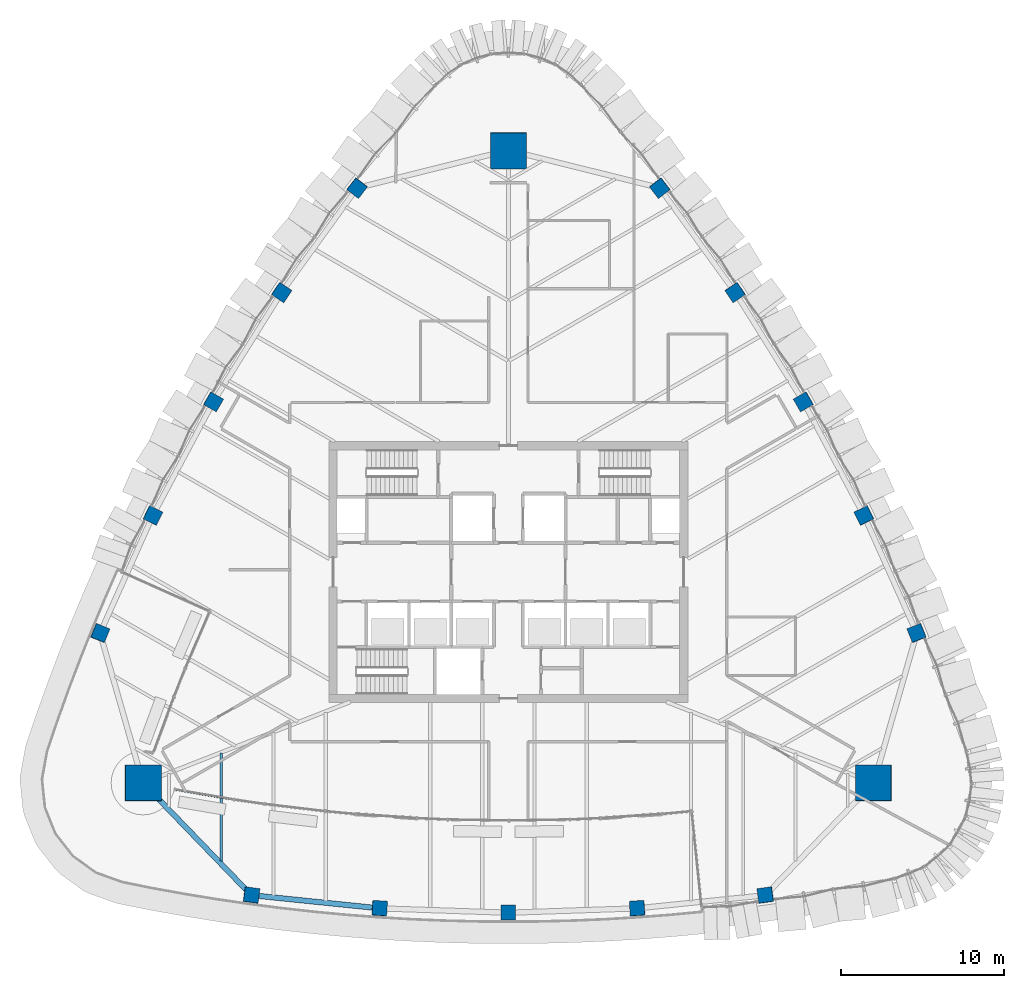
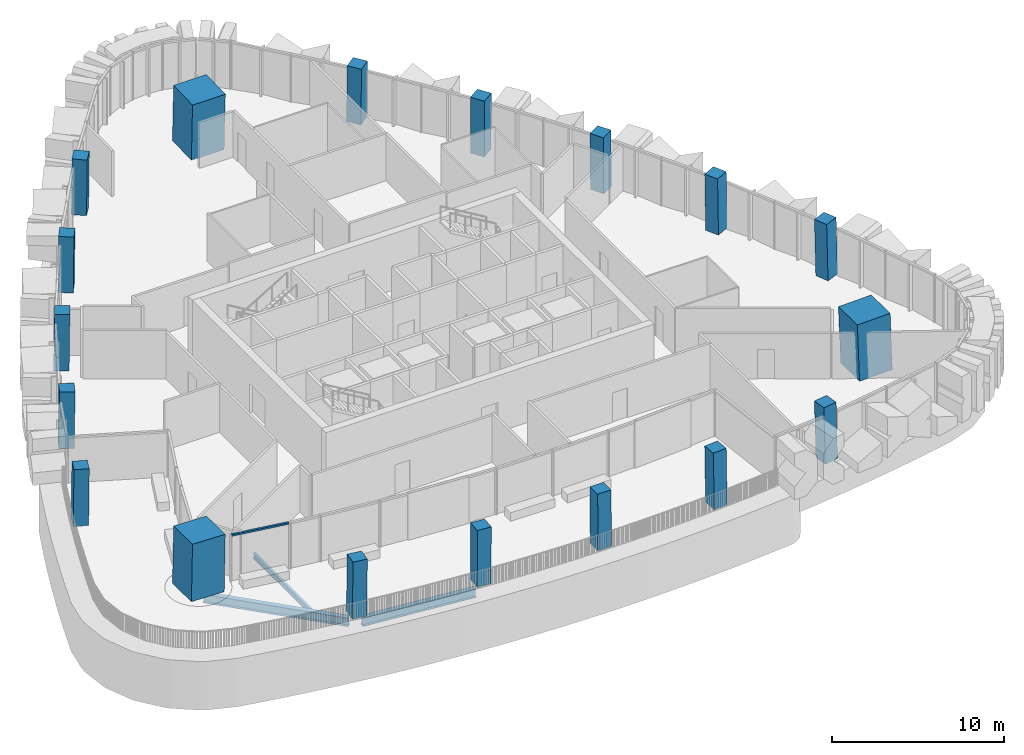
# One storey, part 1 of 22: 18 columns, 3 beams, 1 member, 1 element without a shape of its own.
"""IFC4 building model written with IfcOpenShell, lengths in metres."""

from ifc_helpers import new_model, si_unit, direction, frame, origin, origin_2d, place, context, subcontext, project, spatial, rectangle, i_section, extrude, clip, halfspace, material, layer, layer_set, material_profile, profile_set, type_object, element, aggregate, save


model = new_model("IFC4")

# Units and contexts
model_context = context("Model", 3, precision=1e-05, world=origin(), true_north=direction((0.0, 1.0)))
body_context = subcontext(model_context, "Body", "Model", "MODEL_VIEW")
ifc_project = project(units=[si_unit("LENGTHUNIT", "METRE"), si_unit("AREAUNIT", "SQUARE_METRE"), si_unit("VOLUMEUNIT", "CUBIC_METRE"), si_unit("PLANEANGLEUNIT", "RADIAN"), si_unit("MASSUNIT", "GRAM", prefix="KILO")], contexts=[model_context])

# Site, building, storey
site_placement = place(None, origin())
site = spatial("IfcSite", under=ifc_project, at=site_placement, CompositionType="ELEMENT")
building_placement = place(site_placement, origin())
building = spatial("IfcBuilding", under=site, at=building_placement, Name="Sierra Prisma Convention Tower", CompositionType="ELEMENT")
storey_placement = place(building_placement, frame((0.0, 0.0, 227.0)))
storey = spatial("IfcBuildingStorey", under=building, at=storey_placement, Name="L50", CompositionType="ELEMENT", Elevation=227.0)

# Columns
ifc_material_1 = material(Name="Concrete C50/60", Category="concrete")
ifc_material_profile_1 = material_profile(ifc_material_1, rectangle(XDim=2.199951171875, YDim=2.199951171875, at=origin_2d()), Name="Mega column RC 2200 C50/60")
ifc_profile_set_1 = profile_set([ifc_material_profile_1], Name="Concrete C50/60")
column_type_1 = type_object("IfcColumnType", Name="Mega column RC 2200 C50/60", PredefinedType="COLUMN", material=ifc_profile_set_1)
column_1_placement = place(storey_placement, frame((22.404052734375, -12.93505859375, 0.0), z_axis=(-0.027878605886, 0.016104927689, 0.999481572936), x_axis=(0.999611316129, 0.000449157512, 0.02787498742)))
element("IfcColumn", 1, at=column_1_placement, inside=storey, type_object=column_type_1, Name="Mega column SE L50", PredefinedType="COLUMN", context=body_context, shape_type="SweptSolid", body=[
    clip(extrude(rectangle(XDim=2.199951171875, YDim=2.199951171875, at=origin_2d()), origin(), (0.0, 0.0, 1.0), 4.001953125), halfspace(frame((0.0, 0.0, 0.010986328125)), True)),
])
column_2_placement = place(storey_placement, frame((0.0, 25.8701171875, 0.0), z_axis=(0.0, -0.032209841054, 0.999481128456), x_axis=(1.0, 0.0, 0.0)))
element("IfcColumn", 2, at=column_2_placement, inside=storey, type_object=column_type_1, Name="Mega column N L50", PredefinedType="COLUMN", context=body_context, shape_type="SweptSolid", body=[
    clip(extrude(rectangle(XDim=2.199951171875, YDim=2.199951171875, at=origin_2d()), origin(), (0.0, 0.0, 1.0), 4.002197265625), halfspace(frame((0.0, 0.0, 0.00830078125)), True)),
])
column_3_placement = place(storey_placement, frame((-22.404052734375, -12.93505859375, 0.0), z_axis=(0.027878605886, 0.016104927689, 0.999481572936), x_axis=(0.999611316129, -0.000449157512, -0.02787498742)))
element("IfcColumn", 3, at=column_3_placement, inside=storey, type_object=column_type_1, Name="Mega column SW L50", PredefinedType="COLUMN", context=body_context, shape_type="SweptSolid", body=[
    clip(extrude(rectangle(XDim=2.199951171875, YDim=2.199951171875, at=origin_2d()), origin(), (0.0, 0.0, 1.0), 4.001953125), halfspace(frame((0.0, 0.0, 0.010986328125)), True)),
])
ifc_material_2 = material(Name="Concrete C50/60", Category="concrete")
ifc_material_profile_2 = material_profile(ifc_material_2, rectangle(XDim=0.89990234375, YDim=0.89990234375, at=origin_2d()), Name="Perimeter column RC 900 C50/60")
ifc_profile_set_2 = profile_set([ifc_material_profile_2], Name="Concrete C50/60")
column_type_2 = type_object("IfcColumnType", Name="Perimeter column RC 900 C50/60", PredefinedType="COLUMN", material=ifc_profile_set_2)
column_4_placement = place(storey_placement, frame((-15.76220703125, -19.813720703125, 0.0), z_axis=(0.017574453011, 0.010434831475, 0.999791104628), x_axis=(-0.990587246612, 0.135945228189, 0.015993804505)))
element("IfcColumn", 4, at=column_4_placement, inside=storey, type_object=column_type_2, Name="Perimeter column S-1 L50", PredefinedType="COLUMN", context=body_context, shape_type="SweptSolid", body=[
    clip(extrude(rectangle(XDim=0.89990234375, YDim=0.89990234375, at=origin_2d()), origin(), (0.0, 0.0, 1.0), 4.000732421875), halfspace(frame((0.0, 0.0, 0.003173828125)), True)),
])
column_5_placement = place(storey_placement, frame((-7.8994140625, -20.619384765625, 0.0), z_axis=(0.008788174922, 0.01116830563, 0.999899013366), x_axis=(-0.997643851846, 0.068136832565, 0.00800730434)))
element("IfcColumn", 5, at=column_5_placement, inside=storey, type_object=column_type_2, Name="Perimeter column S-2 L50", PredefinedType="COLUMN", context=body_context, shape_type="SweptSolid", body=[
    clip(extrude(rectangle(XDim=0.89990234375, YDim=0.89990234375, at=origin_2d()), origin(), (0.0, 0.0, 1.0), 4.00048828125), halfspace(frame((0.0, 0.0, 0.002197265625)), True)),
])
column_6_placement = place(storey_placement, frame((0.0, -20.888671875, 0.0), z_axis=(0.0, 0.01141283087, 0.999934871525), x_axis=(1.0, 0.0, 0.0)))
element("IfcColumn", 6, at=column_6_placement, inside=storey, type_object=column_type_2, Name="Perimeter column S-3 L50", PredefinedType="COLUMN", context=body_context, shape_type="SweptSolid", body=[
    clip(extrude(rectangle(XDim=0.89990234375, YDim=0.89990234375, at=origin_2d()), origin(), (0.0, 0.0, 1.0), 4.000244140625), halfspace(frame((0.0, 0.0, 0.00146484375)), True)),
])
column_7_placement = place(storey_placement, frame((7.8994140625, -20.619384765625, 0.0), z_axis=(-0.008788174922, 0.01116830563, 0.999899013366), x_axis=(0.997643851846, 0.068136832565, 0.00800730434)))
element("IfcColumn", 7, at=column_7_placement, inside=storey, type_object=column_type_2, Name="Perimeter column S-4 L50", PredefinedType="COLUMN", context=body_context, shape_type="SweptSolid", body=[
    clip(extrude(rectangle(XDim=0.89990234375, YDim=0.89990234375, at=origin_2d()), origin(), (0.0, 0.0, 1.0), 4.00048828125), halfspace(frame((0.0, 0.0, 0.002197265625)), True)),
])
for number, where, z_axis, x_axis, name in (
    (8, (15.76220703125, -19.813720703125, 0.0), (-0.017574453011, 0.010434831475, 0.999791104628), (0.990587246612, 0.135945228189, 0.015993804505), "Perimeter column S-5 L50"),
    (9, (25.0400390625, -3.74365234375, 0.0), (-0.017757540332, 0.01000768596, 0.999792236409), (-0.377729507005, 0.925778156217, -0.015975763193), "Perimeter column NE-1 L50"),
):
    element("IfcColumn", number, at=place(storey_placement, frame(where, z_axis=z_axis, x_axis=x_axis)), inside=storey, type_object=column_type_2, Name=name, PredefinedType="COLUMN", context=body_context, shape_type="SweptSolid", body=[
        clip(extrude(rectangle(XDim=0.89990234375, YDim=0.89990234375, at=origin_2d()), origin(), (0.0, 0.0, 1.0), 4.000732421875), halfspace(frame((0.0, 0.0, 0.003173828125)), True)),
    ])
column_8_placement = place(storey_placement, frame((21.806640625, 3.46875, 0.0), z_axis=(-0.014036674448, 0.002013957638, 0.999899452818), x_axis=(-0.439870752141, 0.898025601958, -0.007983710807)))
element("IfcColumn", 10, at=column_8_placement, inside=storey, type_object=column_type_2, Name="Perimeter column NE-2 L50", PredefinedType="COLUMN", context=body_context, shape_type="SweptSolid", body=[
    clip(extrude(rectangle(XDim=0.89990234375, YDim=0.89990234375, at=origin_2d()), origin(), (0.0, 0.0, 1.0), 4.00048828125), halfspace(frame((0.0, 0.0, 0.002197265625)), True)),
])
column_9_placement = place(storey_placement, frame((18.090087890625, 10.4443359375, 0.0), z_axis=(-0.009948074445, -0.005736926367, 0.999934059571), x_axis=(-0.499975258342, 0.8660396879, -5.385525e-06)))
element("IfcColumn", 11, at=column_9_placement, inside=storey, type_object=column_type_2, Name="Perimeter column NE-3 L50", PredefinedType="COLUMN", context=body_context, shape_type="SweptSolid", body=[
    clip(extrude(rectangle(XDim=0.89990234375, YDim=0.89990234375, at=origin_2d()), origin(), (0.0, 0.0, 1.0), 4.000244140625), halfspace(frame((0.0, 0.0, 0.00146484375)), True)),
])
column_10_placement = place(storey_placement, frame((13.9072265625, 17.15087890625, 0.0), z_axis=(-0.005248490815, -0.013243284963, 0.999898529226), x_axis=(-0.557760604699, 0.829962689553, 0.008064849343)))
element("IfcColumn", 12, at=column_10_placement, inside=storey, type_object=column_type_2, Name="Perimeter column NE-4 L50", PredefinedType="COLUMN", context=body_context, shape_type="SweptSolid", body=[
    clip(extrude(rectangle(XDim=0.89990234375, YDim=0.89990234375, at=origin_2d()), origin(), (0.0, 0.0, 1.0), 4.00048828125), halfspace(frame((0.0, 0.0, 0.002197265625)), True)),
])
for number, where, z_axis, x_axis, name in (
    (13, (9.278076171875, 23.55712890625, 0.0), (-0.000244089904, -0.020381506962, 0.999792245716), (-0.612951165018, 0.789959701895, 0.015954268541), "Perimeter column NE-5 L50"),
    (14, (-9.278076171875, 23.55712890625, 0.0), (0.000244089904, -0.020381506962, 0.999792245716), (0.612951165018, 0.789959701895, 0.015954268541), "Perimeter column NW-1 L50"),
):
    element("IfcColumn", number, at=place(storey_placement, frame(where, z_axis=z_axis, x_axis=x_axis)), inside=storey, type_object=column_type_2, Name=name, PredefinedType="COLUMN", context=body_context, shape_type="SweptSolid", body=[
        clip(extrude(rectangle(XDim=0.89990234375, YDim=0.89990234375, at=origin_2d()), origin(), (0.0, 0.0, 1.0), 4.000732421875), halfspace(frame((0.0, 0.0, 0.003173828125)), True)),
    ])
column_11_placement = place(storey_placement, frame((-13.9072265625, 17.15087890625, 0.0), z_axis=(0.005248490815, -0.013243284963, 0.999898529226), x_axis=(0.557760604699, 0.829962689553, 0.008064849343)))
element("IfcColumn", 15, at=column_11_placement, inside=storey, type_object=column_type_2, Name="Perimeter column NW-2 L50", PredefinedType="COLUMN", context=body_context, shape_type="SweptSolid", body=[
    clip(extrude(rectangle(XDim=0.89990234375, YDim=0.89990234375, at=origin_2d()), origin(), (0.0, 0.0, 1.0), 4.00048828125), halfspace(frame((0.0, 0.0, 0.002197265625)), True)),
])
column_12_placement = place(storey_placement, frame((-18.090087890625, 10.4443359375, 0.0), z_axis=(0.009948074445, -0.005736926367, 0.999934059571), x_axis=(0.499975258342, 0.8660396879, -5.385525e-06)))
element("IfcColumn", 16, at=column_12_placement, inside=storey, type_object=column_type_2, Name="Perimeter column NW-3 L50", PredefinedType="COLUMN", context=body_context, shape_type="SweptSolid", body=[
    clip(extrude(rectangle(XDim=0.89990234375, YDim=0.89990234375, at=origin_2d()), origin(), (0.0, 0.0, 1.0), 4.000244140625), halfspace(frame((0.0, 0.0, 0.00146484375)), True)),
])
column_13_placement = place(storey_placement, frame((-21.806640625, 3.46875, 0.0), z_axis=(0.014036674448, 0.002013957638, 0.999899452818), x_axis=(0.439870752141, 0.898025601958, -0.007983710807)))
element("IfcColumn", 17, at=column_13_placement, inside=storey, type_object=column_type_2, Name="Perimeter column NW-4 L50", PredefinedType="COLUMN", context=body_context, shape_type="SweptSolid", body=[
    clip(extrude(rectangle(XDim=0.89990234375, YDim=0.89990234375, at=origin_2d()), origin(), (0.0, 0.0, 1.0), 4.00048828125), halfspace(frame((0.0, 0.0, 0.002197265625)), True)),
])
column_14_placement = place(storey_placement, frame((-25.0400390625, -3.74365234375, 0.0), z_axis=(0.017757540332, 0.01000768596, 0.999792236409), x_axis=(0.377729507005, 0.925778156217, -0.015975763193)))
element("IfcColumn", 18, at=column_14_placement, inside=storey, type_object=column_type_2, Name="Perimeter column NW-5 L50", PredefinedType="COLUMN", context=body_context, shape_type="SweptSolid", body=[
    clip(extrude(rectangle(XDim=0.89990234375, YDim=0.89990234375, at=origin_2d()), origin(), (0.0, 0.0, 1.0), 4.000732421875), halfspace(frame((0.0, 0.0, 0.003173828125)), True)),
])

# Curtain wall, member
ifc_material_3 = material(Name="Aluminium and glass curtain wall", Category="aluminium")
ifc_layer = layer(ifc_material_3, 0.179931640625)
ifc_layer_set = layer_set([ifc_layer], Name="CW-6 Terrace recess curtain wall")
curtain_wall_type = type_object("IfcCurtainWallType", Name="CW-6 Terrace recess curtain wall", PredefinedType="NOTDEFINED", material=ifc_layer_set)
curtain_wall_placement = place(storey_placement, origin())
curtain_wall = element("IfcCurtainWall", 19, at=curtain_wall_placement, inside=storey, type_object=curtain_wall_type, Name="CW-6 R28 L50", PredefinedType="NOTDEFINED")
ifc_material_4 = material(Name="Aluminium 6063-T6 bronze anodised", Category="aluminium")
ifc_material_profile_3 = material_profile(ifc_material_4, rectangle(XDim=0.139892578125, YDim=0.1201171875, at=origin_2d()), Name="ALU TRANSOM 120x140")
ifc_profile_set_3 = profile_set([ifc_material_profile_3], Name="Aluminium 6063-T6 bronze anodised")
member_type = type_object("IfcMemberType", Name="CW transom bronze", PredefinedType="USERDEFINED", material=ifc_profile_set_3)
member_placement = place(storey_placement, frame((-20.418212890625, -13.332763671875, 3.280029296875), z_axis=(0.985577980399, -0.169221879653, 0.0), x_axis=(0.169221879653, 0.985577980399, 0.0)))
member = element("IfcMember", 20, at=member_placement, type_object=member_type, Name="CW-6 transom R28.1", ObjectType="TRANSOM", PredefinedType="USERDEFINED", context=body_context, shape_type="SweptSolid", body=[
    extrude(rectangle(XDim=0.139892578125, YDim=0.1201171875, at=origin_2d()), origin(), (0.0, 0.0, 1.0), 3.544677734375),
])
aggregate(curtain_wall, [member])

# Beams
ifc_material_5 = material(Name="Steel ASTM A992 Gr 50", Category="steel")
ifc_material_profile_4 = material_profile(ifc_material_5, i_section(OverallWidth=0.172119140625, OverallDepth=0.35791015625, WebThickness=0.0078125, FlangeThickness=0.01318359375, at=origin_2d()), Name="W360x57")
ifc_profile_set_4 = profile_set([ifc_material_profile_4], Name="Steel ASTM A992 Gr 50")
beam_type_1 = type_object("IfcBeamType", Name="Floor joist W360x57", PredefinedType="JOIST", material=ifc_profile_set_4)
beam_1_placement = place(storey_placement, frame((-17.603271484375, -17.722900390625, -0.47900390625), z_axis=(0.0, 1.0, 0.0), x_axis=(-1.0, 0.0, 0.0)))
element("IfcBeam", 21, at=beam_1_placement, inside=storey, type_object=beam_type_1, Name="Floor joist L50 S02", PredefinedType="JOIST", context=body_context, shape_type="SweptSolid", body=[
    extrude(i_section(OverallWidth=0.172119140625, OverallDepth=0.35791015625, WebThickness=0.0078125, FlangeThickness=0.01318359375, at=origin_2d()), origin(), (0.0, 0.0, 1.0), 6.6181640625),
])
ifc_material_6 = material(Name="Steel ASTM A992 Gr 50", Category="steel")
ifc_material_profile_5 = material_profile(ifc_material_6, i_section(OverallWidth=0.324951171875, OverallDepth=0.615966796875, WebThickness=0.013916015625, FlangeThickness=0.021484375, at=origin_2d()), Name="W610x174")
ifc_profile_set_5 = profile_set([ifc_material_profile_5], Name="Steel ASTM A992 Gr 50")
beam_type_2 = type_object("IfcBeamType", Name="Spandrel beam W610x174", PredefinedType="BEAM", material=ifc_profile_set_5)
beam_2_placement = place(storey_placement, frame((-22.191650390625, -13.155029296875, -0.60791015625), z_axis=(0.694630146283, -0.719367055038, 0.0), x_axis=(0.719367055038, 0.694630146283, 0.0)))
element("IfcBeam", 22, at=beam_2_placement, inside=storey, type_object=beam_type_2, Name="Spandrel L50-01", PredefinedType="BEAM", context=body_context, shape_type="SweptSolid", body=[
    extrude(i_section(OverallWidth=0.324951171875, OverallDepth=0.615966796875, WebThickness=0.013916015625, FlangeThickness=0.021484375, at=origin_2d()), origin(), (0.0, 0.0, 1.0), 8.803466796875),
])
beam_3_placement = place(storey_placement, frame((-15.43359375, -19.84716796875, -0.60791015625), z_axis=(0.994785472713, -0.101989525341, 0.0), x_axis=(0.101989525341, 0.994785472713, 0.0)))
element("IfcBeam", 23, at=beam_3_placement, inside=storey, type_object=beam_type_2, Name="Spandrel L50-02", PredefinedType="BEAM", context=body_context, shape_type="SweptSolid", body=[
    extrude(i_section(OverallWidth=0.324951171875, OverallDepth=0.615966796875, WebThickness=0.013916015625, FlangeThickness=0.021484375, at=origin_2d()), origin(), (0.0, 0.0, 1.0), 7.24365234375),
])

save(model, "model.ifc")
